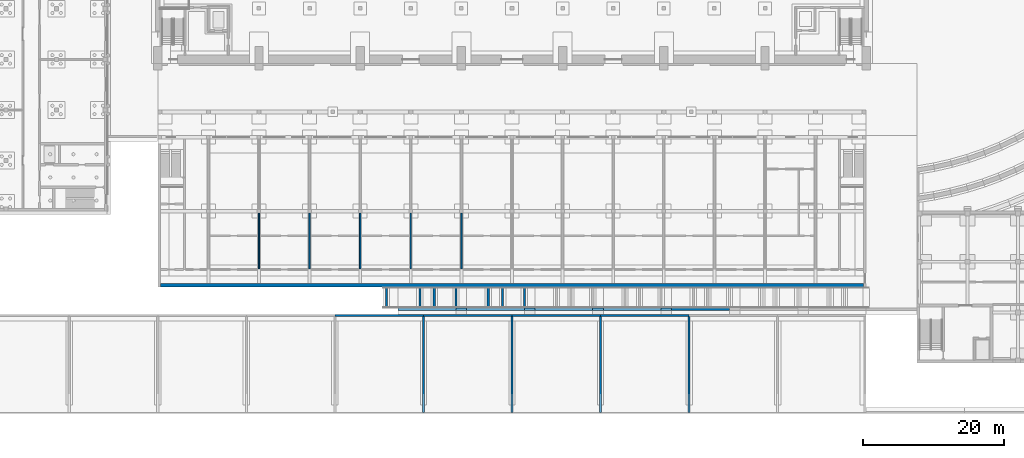
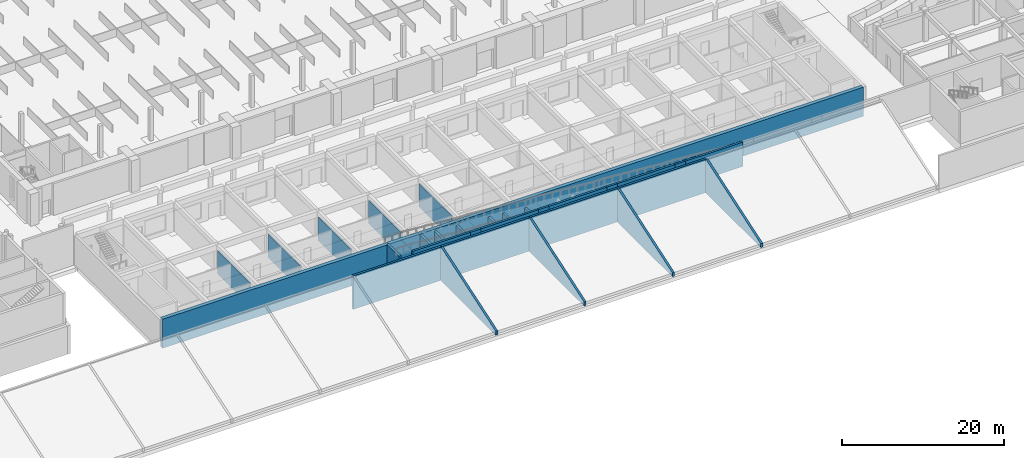
# One storey, part 31 of 73: 30 walls.
"""IFC4 building model written with IfcOpenShell, lengths in metres."""

from ifc_helpers import new_model, si_unit, direction, frame, frame_2d, origin, place, context, subcontext, project, spatial, polyline, rectangle, outline, extrude, material, layer, layer_set, type_object, element, save


model = new_model("IFC4")

# Units and contexts
model_context = context("Model", 3, precision=1e-05, world=origin(), true_north=direction((0.0, 1.0)))
body_context = subcontext(model_context, "Body", "Model", "MODEL_VIEW")
ifc_project = project(units=[si_unit("LENGTHUNIT", "METRE"), si_unit("AREAUNIT", "SQUARE_METRE"), si_unit("VOLUMEUNIT", "CUBIC_METRE"), si_unit("PLANEANGLEUNIT", "RADIAN"), si_unit("MASSUNIT", "GRAM", prefix="KILO")], contexts=[model_context])

# Site, building, storey
site_placement = place(None, origin())
site = spatial("IfcSite", under=ifc_project, at=site_placement, CompositionType="ELEMENT")
building_placement = place(site_placement, origin())
building = spatial("IfcBuilding", under=site, at=building_placement, Name="Alderwick Market Hall", CompositionType="ELEMENT")
storey_placement = place(building_placement, origin())
storey = spatial("IfcBuildingStorey", under=building, at=storey_placement, Name="LG", CompositionType="ELEMENT", Elevation=0.0)

# Walls
ifc_material_1 = material(Name="Concrete masonry 3000 psi", Category="masonry")
ifc_layer_1 = layer(ifc_material_1, 0.199951171875)
ifc_layer_set_1 = layer_set([ifc_layer_1], Name="Concrete masonry 3000 psi")
wall_type_1 = type_object("IfcWallType", Name="A Masonry Partition 200", PredefinedType="PARTITIONING", material=ifc_layer_set_1)
for number, where, z_axis, x_axis, name in (
    (1, (64.800048828125, 20.60009765625, 0.0), (0.0, 0.0, 1.0), (0.0, 1.0, 0.0), "A.S.wall.027"),
    (2, (72.0, 20.60009765625, 0.0), (0.0, 0.0, 1.0), (0.0, 1.0, 0.0), "A.S.wall.029"),
    (3, (79.199951171875, 20.60009765625, 0.0), (0.0, 0.0, 1.0), (0.0, 1.0, 0.0), "A.S.wall.031"),
    (4, (86.39990234375, 20.60009765625, 0.0), (0.0, 0.0, 1.0), (0.0, 1.0, 0.0), "A.S.wall.033"),
    (5, (93.60009765625, 20.60009765625, 0.0), (0.0, 0.0, 1.0), (0.0, 1.0, 0.0), "A.S.wall.035"),
):
    element("IfcWall", number, at=place(storey_placement, frame(where, z_axis=z_axis, x_axis=x_axis)), inside=storey, type_object=wall_type_1, Name=name, PredefinedType="PARTITIONING", context=body_context, shape_type="SweptSolid", body=[
        extrude(rectangle(XDim=7.949951171875, YDim=0.199951171875, at=frame_2d((3.97509765625, 0.0))), origin(), (0.0, 0.0, 1.0), 3.5),
    ])
ifc_material_2 = material(Name="Concrete 5000 psi (f'c 35 MPa)", Category="concrete")
ifc_layer_2 = layer(ifc_material_2, 0.5)
ifc_layer_set_2 = layer_set([ifc_layer_2], Name="Concrete 5000 psi (f'c 35 MPa)")
wall_type_2 = type_object("IfcWallType", Name="A RC Retaining Wall 500", PredefinedType="SOLIDWALL", material=ifc_layer_set_2)
wall_1_placement = place(storey_placement, frame((50.800048828125, 18.25, 0.0), z_axis=(0.0, 0.0, 1.0), x_axis=(1.0, 0.0, 0.0)))
element("IfcWall", 6, at=wall_1_placement, inside=storey, type_object=wall_type_2, Name="A.S.wall.000", PredefinedType="SOLIDWALL", context=body_context, shape_type="SweptSolid", body=[
    extrude(rectangle(XDim=100.0, YDim=0.5, at=frame_2d((50.0, 0.0))), origin(), (0.0, 0.0, 1.0), 4.39990234375),
])
ifc_layer_3 = layer(ifc_material_2, 0.300048828125)
ifc_layer_set_3 = layer_set([ifc_layer_3], Name="Concrete 5000 psi (f'c 35 MPa)")
wall_type_3 = type_object("IfcWallType", Name="S Retaining Wall 300", PredefinedType="SOLIDWALL", material=ifc_layer_set_3)
wall_2_placement = place(storey_placement, frame((131.742919921875, 14.85009765625, 1.121337890625), z_axis=(0.0, 0.0, 1.0), x_axis=(-1.0, 0.0, 0.0)))
element("IfcWall", 7, at=wall_2_placement, inside=storey, type_object=wall_type_3, Name="Trench wall S.06", PredefinedType="SOLIDWALL", context=body_context, shape_type="SweptSolid", body=[
    extrude(rectangle(XDim=8.22900390625, YDim=0.300048828125, at=frame_2d((4.114501953125, 0.0))), origin(), (0.0, 0.0, 1.0), 3.6787109375),
])
wall_3_placement = place(storey_placement, frame((123.513916015625, 14.85009765625, 1.80712890625), z_axis=(0.0, 0.0, 1.0), x_axis=(-1.0, 0.0, 0.0)))
element("IfcWall", 8, at=wall_3_placement, inside=storey, type_object=wall_type_3, Name="Trench wall S.07", PredefinedType="SOLIDWALL", context=body_context, shape_type="SweptSolid", body=[
    extrude(rectangle(XDim=1.5, YDim=0.300048828125, at=frame_2d((0.75, 0.0))), origin(), (0.0, 0.0, 1.0), 2.992919921875),
])
wall_4_placement = place(storey_placement, frame((122.013916015625, 14.85009765625, 1.80712890625), z_axis=(0.0, 0.0, 1.0), x_axis=(-1.0, 0.0, 0.0)))
element("IfcWall", 9, at=wall_4_placement, inside=storey, type_object=wall_type_3, Name="Trench wall S.08", PredefinedType="SOLIDWALL", context=body_context, shape_type="SweptSolid", body=[
    extrude(rectangle(XDim=8.22802734375, YDim=0.300048828125, at=frame_2d((4.114013671875, 0.0))), origin(), (0.0, 0.0, 1.0), 2.992919921875),
])
wall_5_placement = place(storey_placement, frame((113.785888671875, 14.85009765625, 2.492919921875), z_axis=(0.0, 0.0, 1.0), x_axis=(-1.0, 0.0, 0.0)))
element("IfcWall", 10, at=wall_5_placement, inside=storey, type_object=wall_type_3, Name="Trench wall S.09", PredefinedType="SOLIDWALL", context=body_context, shape_type="SweptSolid", body=[
    extrude(rectangle(XDim=1.5, YDim=0.300048828125, at=frame_2d((0.75, 0.0))), origin(), (0.0, 0.0, 1.0), 2.30712890625),
])
wall_6_placement = place(storey_placement, frame((112.285888671875, 14.85009765625, 2.492919921875), z_axis=(0.0, 0.0, 1.0), x_axis=(-1.0, 0.0, 0.0)))
element("IfcWall", 11, at=wall_6_placement, inside=storey, type_object=wall_type_3, Name="Trench wall S.10", PredefinedType="SOLIDWALL", context=body_context, shape_type="SweptSolid", body=[
    extrude(rectangle(XDim=8.22900390625, YDim=0.300048828125, at=frame_2d((4.114501953125, 0.0))), origin(), (0.0, 0.0, 1.0), 2.30712890625),
])
wall_7_placement = place(storey_placement, frame((104.056884765625, 14.85009765625, 3.1787109375), z_axis=(0.0, 0.0, 1.0), x_axis=(-1.0, 0.0, 0.0)))
element("IfcWall", 12, at=wall_7_placement, inside=storey, type_object=wall_type_3, Name="Trench wall S.11", PredefinedType="SOLIDWALL", context=body_context, shape_type="SweptSolid", body=[
    extrude(rectangle(XDim=1.5, YDim=0.300048828125, at=frame_2d((0.75, 0.0))), origin(), (0.0, 0.0, 1.0), 1.621337890625),
])
wall_8_placement = place(storey_placement, frame((102.556884765625, 14.85009765625, 3.1787109375), z_axis=(0.0, 0.0, 1.0), x_axis=(-1.0, 0.0, 0.0)))
element("IfcWall", 13, at=wall_8_placement, inside=storey, type_object=wall_type_3, Name="Trench wall S.12", PredefinedType="SOLIDWALL", context=body_context, shape_type="SweptSolid", body=[
    extrude(rectangle(XDim=8.227783203125, YDim=0.300048828125, at=frame_2d((4.11376953125, 0.0))), origin(), (0.0, 0.0, 1.0), 1.621337890625),
])
wall_9_placement = place(storey_placement, frame((94.3291015625, 14.85009765625, 3.8642578125), z_axis=(0.0, 0.0, 1.0), x_axis=(-1.0, 0.0, 0.0)))
element("IfcWall", 14, at=wall_9_placement, inside=storey, type_object=wall_type_3, Name="Trench wall S.13", PredefinedType="SOLIDWALL", context=body_context, shape_type="SweptSolid", body=[
    extrude(rectangle(XDim=1.5, YDim=0.300048828125, at=frame_2d((0.75, 0.0))), origin(), (0.0, 0.0, 1.0), 0.935791015625),
])
wall_10_placement = place(storey_placement, frame((92.8291015625, 14.85009765625, 3.8642578125), z_axis=(0.0, 0.0, 1.0), x_axis=(-1.0, 0.0, 0.0)))
element("IfcWall", 15, at=wall_10_placement, inside=storey, type_object=wall_type_3, Name="Trench wall S.14", PredefinedType="SOLIDWALL", context=body_context, shape_type="SweptSolid", body=[
    extrude(rectangle(XDim=8.22900390625, YDim=0.300048828125, at=frame_2d((4.114501953125, 0.0))), origin(), (0.0, 0.0, 1.0), 0.935791015625),
])
wall_11_placement = place(storey_placement, frame((102.556884765625, 15.0, -0.25), z_axis=(0.0, 0.0, 1.0), x_axis=(0.0, 1.0, 0.0)))
element("IfcWall", 16, at=wall_11_placement, inside=storey, type_object=wall_type_3, Name="Ramp support wall S5c", PredefinedType="SOLIDWALL", context=body_context, shape_type="SweptSolid", body=[
    extrude(rectangle(XDim=3.0, YDim=0.300048828125, at=frame_2d((1.5, 0.0))), origin(), (0.0, 0.0, 1.0), 3.4287109375),
])
wall_12_placement = place(storey_placement, frame((99.471435546875, 15.0, -0.25), z_axis=(0.0, 0.0, 1.0), x_axis=(0.0, 1.0, 0.0)))
element("IfcWall", 17, at=wall_12_placement, inside=storey, type_object=wall_type_3, Name="Ramp support wall S6b", PredefinedType="SOLIDWALL", context=body_context, shape_type="SweptSolid", body=[
    extrude(rectangle(XDim=3.0, YDim=0.300048828125, at=frame_2d((1.5, 0.0))), origin(), (0.0, 0.0, 1.0), 3.673095703125),
])
wall_13_placement = place(storey_placement, frame((97.41455078125, 15.0, -0.25), z_axis=(0.0, 0.0, 1.0), x_axis=(0.0, 1.0, 0.0)))
element("IfcWall", 18, at=wall_13_placement, inside=storey, type_object=wall_type_3, Name="Ramp support wall S6d", PredefinedType="SOLIDWALL", context=body_context, shape_type="SweptSolid", body=[
    extrude(rectangle(XDim=3.0, YDim=0.300048828125, at=frame_2d((1.5, 0.0))), origin(), (0.0, 0.0, 1.0), 3.844482421875),
])
wall_14_placement = place(storey_placement, frame((92.8291015625, 15.0, -0.25), z_axis=(0.0, 0.0, 1.0), x_axis=(0.0, 1.0, 0.0)))
element("IfcWall", 19, at=wall_14_placement, inside=storey, type_object=wall_type_3, Name="Ramp support wall S6c", PredefinedType="SOLIDWALL", context=body_context, shape_type="SweptSolid", body=[
    extrude(rectangle(XDim=3.0, YDim=0.300048828125, at=frame_2d((1.5, 0.0))), origin(), (0.0, 0.0, 1.0), 4.1142578125),
])
wall_15_placement = place(storey_placement, frame((89.7431640625, 15.0, -0.25), z_axis=(0.0, 0.0, 1.0), x_axis=(0.0, 1.0, 0.0)))
element("IfcWall", 20, at=wall_15_placement, inside=storey, type_object=wall_type_3, Name="Ramp support wall S7b", PredefinedType="SOLIDWALL", context=body_context, shape_type="SweptSolid", body=[
    extrude(rectangle(XDim=3.0, YDim=0.300048828125, at=frame_2d((1.5, 0.0))), origin(), (0.0, 0.0, 1.0), 4.35888671875),
])
wall_16_placement = place(storey_placement, frame((87.685791015625, 15.0, -0.25), z_axis=(0.0, 0.0, 1.0), x_axis=(0.0, 1.0, 0.0)))
element("IfcWall", 21, at=wall_16_placement, inside=storey, type_object=wall_type_3, Name="Ramp support wall S7d", PredefinedType="SOLIDWALL", context=body_context, shape_type="SweptSolid", body=[
    extrude(rectangle(XDim=3.0, YDim=0.300048828125, at=frame_2d((1.5, 0.0))), origin(), (0.0, 0.0, 1.0), 4.530517578125),
])
wall_17_placement = place(storey_placement, frame((82.949951171875, 15.0, -0.25), z_axis=(0.0, 0.0, 1.0), x_axis=(0.0, 1.0, 0.0)))
element("IfcWall", 22, at=wall_17_placement, inside=storey, type_object=wall_type_3, Name="Ramp support wall S7c", PredefinedType="SOLIDWALL", context=body_context, shape_type="SweptSolid", body=[
    extrude(rectangle(XDim=3.0, YDim=0.300048828125, at=frame_2d((1.5, 0.0))), origin(), (0.0, 0.0, 1.0), 4.800048828125),
])
wall_18_placement = place(storey_placement, frame((75.60009765625, 13.949951171875, -0.25), z_axis=(0.0, 0.0, 1.0), x_axis=(1.0, 0.0, 0.0)))
element("IfcWall", 23, at=wall_18_placement, inside=storey, type_object=wall_type_3, Name="Berm crest wall S07", PredefinedType="SOLIDWALL", context=body_context, shape_type="SweptSolid", body=[
    extrude(rectangle(XDim=12.599853515625, YDim=0.300048828125, at=frame_2d((6.2998046875, 0.0))), origin(), (0.0, 0.0, 1.0), 5.050048828125),
])
wall_19_placement = place(storey_placement, frame((88.199951171875, 13.949951171875, -0.25), z_axis=(0.0, 0.0, 1.0), x_axis=(1.0, 0.0, 0.0)))
element("IfcWall", 24, at=wall_19_placement, inside=storey, type_object=wall_type_3, Name="Berm crest wall S08", PredefinedType="SOLIDWALL", context=body_context, shape_type="SweptSolid", body=[
    extrude(rectangle(XDim=12.60009765625, YDim=0.300048828125, at=frame_2d((6.300048828125, 0.0))), origin(), (0.0, 0.0, 1.0), 5.050048828125),
])
wall_20_placement = place(storey_placement, frame((100.800048828125, 13.949951171875, -0.25), z_axis=(0.0, 0.0, 1.0), x_axis=(1.0, 0.0, 0.0)))
element("IfcWall", 25, at=wall_20_placement, inside=storey, type_object=wall_type_3, Name="Berm crest wall S09", PredefinedType="SOLIDWALL", context=body_context, shape_type="SweptSolid", body=[
    extrude(rectangle(XDim=12.599853515625, YDim=0.300048828125, at=frame_2d((6.2998046875, 0.0))), origin(), (0.0, 0.0, 1.0), 5.050048828125),
])
wall_21_placement = place(storey_placement, frame((113.39990234375, 13.949951171875, -0.25), z_axis=(0.0, 0.0, 1.0), x_axis=(1.0, 0.0, 0.0)))
element("IfcWall", 26, at=wall_21_placement, inside=storey, type_object=wall_type_3, Name="Berm crest wall S10", PredefinedType="SOLIDWALL", context=body_context, shape_type="SweptSolid", body=[
    extrude(rectangle(XDim=12.60009765625, YDim=0.300048828125, at=frame_2d((6.300048828125, 0.0))), origin(), (0.0, 0.0, 1.0), 5.050048828125),
])
for number, where, z_axis, x_axis, name in (
    (27, (88.199951171875, 13.800048828125, -0.25), (0.0, 0.0, 1.0), (0.0, -1.0, 0.0), "Berm cross wall S08"),
    (28, (100.800048828125, 13.800048828125, -0.25), (0.0, 0.0, 1.0), (0.0, -1.0, 0.0), "Berm cross wall S09"),
    (29, (113.39990234375, 13.800048828125, -0.25), (0.0, 0.0, 1.0), (0.0, -1.0, 0.0), "Berm cross wall S10"),
    (30, (126.0, 13.800048828125, -0.25), (0.0, 0.0, 1.0), (0.0, -1.0, 0.0), "Berm cross wall S11"),
):
    element("IfcWall", number, at=place(storey_placement, frame(where, z_axis=z_axis, x_axis=x_axis)), inside=storey, type_object=wall_type_3, Name=name, PredefinedType="SOLIDWALL", context=body_context, shape_type="SweptSolid", body=[
        extrude(outline(polyline([(0.0, 0.0), (13.632080078125, 0.0), (13.632080078125, 0.569091796875), (0.189697265625, 5.050048828125), (0.0, 5.050048828125), (0.0, 0.0)])), frame((0.0, 0.14990234375, 0.0), z_axis=(0.0, -1.0, 0.0), x_axis=(1.0, 0.0, 0.0)), (0.0, 0.0, 1.0), 0.300048828125),
    ])

save(model, "model.ifc")
